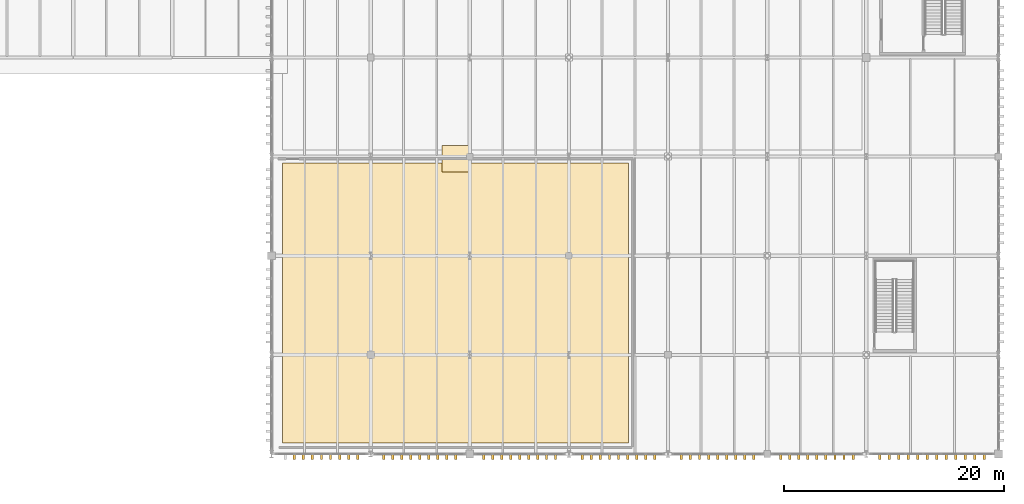
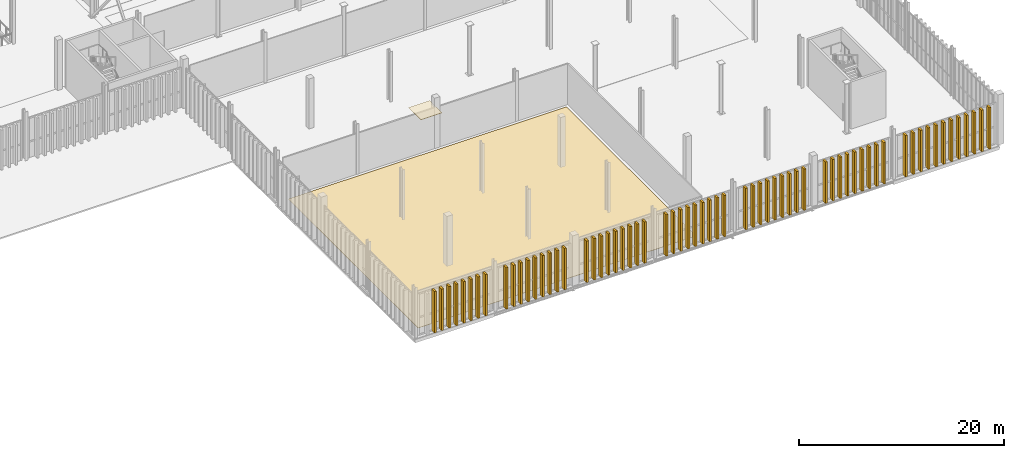
# One storey, part 199 of 211: 65 shading devices, 2 coverings.
"""IFC4 building model written with IfcOpenShell, lengths in metres."""

from ifc_helpers import new_model, si_unit, direction, frame, origin, origin_2d, place, context, subcontext, project, spatial, polyline, rectangle, outline, extrude, material, layer, layer_set, type_object, element, save


model = new_model("IFC4")

# Units and contexts
model_context = context("Model", 3, precision=1e-05, world=origin(), true_north=direction((0.0, 1.0)))
body_context = subcontext(model_context, "Body", "Model", "MODEL_VIEW")
ifc_project = project(units=[si_unit("LENGTHUNIT", "METRE"), si_unit("AREAUNIT", "SQUARE_METRE"), si_unit("VOLUMEUNIT", "CUBIC_METRE"), si_unit("PLANEANGLEUNIT", "RADIAN"), si_unit("MASSUNIT", "GRAM", prefix="KILO")], contexts=[model_context])

# Site, building, storey
site_placement = place(None, origin())
site = spatial("IfcSite", under=ifc_project, at=site_placement, CompositionType="ELEMENT")
building_placement = place(site_placement, origin())
building = spatial("IfcBuilding", under=site, at=building_placement, Name="Barlavento Convention Centre", CompositionType="ELEMENT")
storey_placement = place(building_placement, frame((0.0, 0.0, 6.0)))
storey = spatial("IfcBuildingStorey", under=building, at=storey_placement, Name="L01", CompositionType="ELEMENT", Elevation=6.0)

# Coverings
ifc_material_1 = material(Name="Perforated mineral-fibre acoustic board")
ifc_layer_1 = layer(ifc_material_1, 0.0400390625)
ifc_layer_set_1 = layer_set([ifc_layer_1], Name="ARC-COV-CEIL-ACOU")
covering_type_1 = type_object("IfcCoveringType", Name="ARC-COV-CEIL-ACOU", PredefinedType="CEILING", material=ifc_layer_set_1)
covering_1_placement = place(storey_placement, frame((0.0, 0.0, 4.85009765625)))
element("IfcCovering", 1, at=covering_1_placement, inside=storey, type_object=covering_type_1, Name="L01 acoustic ceiling panel", PredefinedType="CEILING", context=body_context, shape_type="SweptSolid", body=[
    extrude(outline(polyline([(141.5, 25.60009765625), (143.89990234375, 25.60009765625), (143.89990234375, 28.0), (141.5, 28.0), (141.5, 25.60009765625)])), origin(), (0.0, 0.0, 1.0), 0.039794921875),
])
ifc_material_2 = material(Name="Honed granite concourse stone flooring", Category="masonry")
ifc_layer_2 = layer(ifc_material_2, 0.030029296875)
ifc_layer_set_2 = layer_set([ifc_layer_2], Name="ARC-COV-FLR-STONE")
covering_type_2 = type_object("IfcCoveringType", Name="ARC-COV-FLR-STONE", PredefinedType="FLOORING", material=ifc_layer_set_2)
covering_2_placement = place(storey_placement, origin())
element("IfcCovering", 2, at=covering_2_placement, inside=storey, type_object=covering_type_2, Name="L01 honed stone floor finish", PredefinedType="FLOORING", context=body_context, shape_type="SweptSolid", body=[
    extrude(outline(polyline([(158.39990234375, 1.0), (127.0, 1.0), (127.0, 26.39990234375), (158.39990234375, 26.39990234375), (158.39990234375, 1.0)])), origin(), (0.0, 0.0, 1.0), 0.030029296875),
])

# Shading devices
ifc_material_3 = material(Name="PVDF white extruded aluminium", Category="aluminium")
shading_device_type = type_object("IfcShadingDeviceType", Name="ARC-SHD-FIN-480", PredefinedType="USERDEFINED", material=ifc_material_3)
for number, where, z_axis, x_axis, name in (
    (3, (128.06884765625, -0.239990234375, 0.0), (0.0, 0.0, 1.0), (1.0, 0.0, 0.0), "White vertical solar shading fin VF01"),
    (4, (128.89111328125, -0.239990234375, 0.0), (0.0, 0.0, 1.0), (1.0, 0.0, 0.0), "White vertical solar shading fin VF01"),
    (5, (129.713623046875, -0.239990234375, 0.0), (0.0, 0.0, 1.0), (1.0, 0.0, 0.0), "White vertical solar shading fin VF01"),
    (6, (130.535888671875, -0.239990234375, 0.0), (0.0, 0.0, 1.0), (1.0, 0.0, 0.0), "White vertical solar shading fin VF01"),
    (7, (131.3583984375, -0.239990234375, 0.0), (0.0, 0.0, 1.0), (1.0, 0.0, 0.0), "White vertical solar shading fin VF01"),
    (8, (132.180908203125, -0.239990234375, 0.0), (0.0, 0.0, 1.0), (1.0, 0.0, 0.0), "White vertical solar shading fin VF01"),
    (9, (133.003173828125, -0.239990234375, 0.0), (0.0, 0.0, 1.0), (1.0, 0.0, 0.0), "White vertical solar shading fin VF01"),
    (10, (133.82568359375, -0.239990234375, 0.0), (0.0, 0.0, 1.0), (1.0, 0.0, 0.0), "White vertical solar shading fin VF01"),
    (11, (136.1728515625, -0.239990234375, 0.0), (0.0, 0.0, 1.0), (1.0, 0.0, 0.0), "White vertical solar shading fin VF01"),
    (12, (136.99365234375, -0.239990234375, 0.0), (0.0, 0.0, 1.0), (1.0, 0.0, 0.0), "White vertical solar shading fin VF01"),
    (13, (137.814453125, -0.239990234375, 0.0), (0.0, 0.0, 1.0), (1.0, 0.0, 0.0), "White vertical solar shading fin VF01"),
    (14, (138.63525390625, -0.239990234375, 0.0), (0.0, 0.0, 1.0), (1.0, 0.0, 0.0), "White vertical solar shading fin VF01"),
    (15, (139.4560546875, -0.239990234375, 0.0), (0.0, 0.0, 1.0), (1.0, 0.0, 0.0), "White vertical solar shading fin VF01"),
    (16, (140.27685546875, -0.239990234375, 0.0), (0.0, 0.0, 1.0), (1.0, 0.0, 0.0), "White vertical solar shading fin VF01"),
    (17, (141.09765625, -0.239990234375, 0.0), (0.0, 0.0, 1.0), (1.0, 0.0, 0.0), "White vertical solar shading fin VF01"),
    (18, (141.91845703125, -0.239990234375, 0.0), (0.0, 0.0, 1.0), (1.0, 0.0, 0.0), "White vertical solar shading fin VF01"),
    (19, (142.7392578125, -0.239990234375, 0.0), (0.0, 0.0, 1.0), (1.0, 0.0, 0.0), "White vertical solar shading fin VF01"),
    (20, (145.256103515625, -0.239990234375, 0.0), (0.0, 0.0, 1.0), (1.0, 0.0, 0.0), "White vertical solar shading fin VF01"),
    (21, (146.072021484375, -0.239990234375, 0.0), (0.0, 0.0, 1.0), (1.0, 0.0, 0.0), "White vertical solar shading fin VF01"),
    (22, (146.887939453125, -0.239990234375, 0.0), (0.0, 0.0, 1.0), (1.0, 0.0, 0.0), "White vertical solar shading fin VF01"),
    (23, (147.7041015625, -0.239990234375, 0.0), (0.0, 0.0, 1.0), (1.0, 0.0, 0.0), "White vertical solar shading fin VF01"),
    (24, (148.52001953125, -0.239990234375, 0.0), (0.0, 0.0, 1.0), (1.0, 0.0, 0.0), "White vertical solar shading fin VF01"),
    (25, (149.3359375, -0.239990234375, 0.0), (0.0, 0.0, 1.0), (1.0, 0.0, 0.0), "White vertical solar shading fin VF01"),
    (26, (150.152099609375, -0.239990234375, 0.0), (0.0, 0.0, 1.0), (1.0, 0.0, 0.0), "White vertical solar shading fin VF01"),
    (27, (150.968017578125, -0.239990234375, 0.0), (0.0, 0.0, 1.0), (1.0, 0.0, 0.0), "White vertical solar shading fin VF01"),
    (28, (151.783935546875, -0.239990234375, 0.0), (0.0, 0.0, 1.0), (1.0, 0.0, 0.0), "White vertical solar shading fin VF01"),
    (29, (154.220947265625, -0.239990234375, 0.0), (0.0, 0.0, 1.0), (1.0, 0.0, 0.0), "White vertical solar shading fin VF01"),
    (30, (155.0419921875, -0.239990234375, 0.0), (0.0, 0.0, 1.0), (1.0, 0.0, 0.0), "White vertical solar shading fin VF01"),
    (31, (155.863037109375, -0.239990234375, 0.0), (0.0, 0.0, 1.0), (1.0, 0.0, 0.0), "White vertical solar shading fin VF01"),
    (32, (156.68408203125, -0.239990234375, 0.0), (0.0, 0.0, 1.0), (1.0, 0.0, 0.0), "White vertical solar shading fin VF01"),
    (33, (157.5048828125, -0.239990234375, 0.0), (0.0, 0.0, 1.0), (1.0, 0.0, 0.0), "White vertical solar shading fin VF01"),
    (34, (158.325927734375, -0.239990234375, 0.0), (0.0, 0.0, 1.0), (1.0, 0.0, 0.0), "White vertical solar shading fin VF01"),
    (35, (159.14697265625, -0.239990234375, 0.0), (0.0, 0.0, 1.0), (1.0, 0.0, 0.0), "White vertical solar shading fin VF01"),
    (36, (159.968017578125, -0.239990234375, 0.0), (0.0, 0.0, 1.0), (1.0, 0.0, 0.0), "White vertical solar shading fin VF01"),
    (37, (160.7890625, -0.239990234375, 0.0), (0.0, 0.0, 1.0), (1.0, 0.0, 0.0), "White vertical solar shading fin VF01"),
    (38, (163.2119140625, -0.239990234375, 0.0), (0.0, 0.0, 1.0), (1.0, 0.0, 0.0), "White vertical solar shading fin VF01"),
    (39, (164.033935546875, -0.239990234375, 0.0), (0.0, 0.0, 1.0), (1.0, 0.0, 0.0), "White vertical solar shading fin VF01"),
    (40, (164.85595703125, -0.239990234375, 0.0), (0.0, 0.0, 1.0), (1.0, 0.0, 0.0), "White vertical solar shading fin VF01"),
    (41, (165.677978515625, -0.239990234375, 0.0), (0.0, 0.0, 1.0), (1.0, 0.0, 0.0), "White vertical solar shading fin VF01"),
    (42, (166.5, -0.239990234375, 0.0), (0.0, 0.0, 1.0), (1.0, 0.0, 0.0), "White vertical solar shading fin VF01"),
    (43, (167.322021484375, -0.239990234375, 0.0), (0.0, 0.0, 1.0), (1.0, 0.0, 0.0), "White vertical solar shading fin VF01"),
    (44, (168.14404296875, -0.239990234375, 0.0), (0.0, 0.0, 1.0), (1.0, 0.0, 0.0), "White vertical solar shading fin VF01"),
    (45, (168.966064453125, -0.239990234375, 0.0), (0.0, 0.0, 1.0), (1.0, 0.0, 0.0), "White vertical solar shading fin VF01"),
    (46, (169.7880859375, -0.239990234375, 0.0), (0.0, 0.0, 1.0), (1.0, 0.0, 0.0), "White vertical solar shading fin VF01"),
    (47, (172.21337890625, -0.239990234375, 0.0), (0.0, 0.0, 1.0), (1.0, 0.0, 0.0), "White vertical solar shading fin VF01"),
    (48, (173.036865234375, -0.239990234375, 0.0), (0.0, 0.0, 1.0), (1.0, 0.0, 0.0), "White vertical solar shading fin VF01"),
    (49, (173.860107421875, -0.239990234375, 0.0), (0.0, 0.0, 1.0), (1.0, 0.0, 0.0), "White vertical solar shading fin VF01"),
    (50, (174.68359375, -0.239990234375, 0.0), (0.0, 0.0, 1.0), (1.0, 0.0, 0.0), "White vertical solar shading fin VF01"),
    (51, (175.507080078125, -0.239990234375, 0.0), (0.0, 0.0, 1.0), (1.0, 0.0, 0.0), "White vertical solar shading fin VF01"),
    (52, (176.330322265625, -0.239990234375, 0.0), (0.0, 0.0, 1.0), (1.0, 0.0, 0.0), "White vertical solar shading fin VF01"),
    (53, (177.15380859375, -0.239990234375, 0.0), (0.0, 0.0, 1.0), (1.0, 0.0, 0.0), "White vertical solar shading fin VF01"),
    (54, (177.977294921875, -0.239990234375, 0.0), (0.0, 0.0, 1.0), (1.0, 0.0, 0.0), "White vertical solar shading fin VF01"),
    (55, (178.800537109375, -0.239990234375, 0.0), (0.0, 0.0, 1.0), (1.0, 0.0, 0.0), "White vertical solar shading fin VF01"),
    (56, (181.236328125, -0.239990234375, 0.0), (0.0, 0.0, 1.0), (1.0, 0.0, 0.0), "White vertical solar shading fin VF01"),
    (57, (182.0966796875, -0.239990234375, 0.0), (0.0, 0.0, 1.0), (1.0, 0.0, 0.0), "White vertical solar shading fin VF01"),
    (58, (182.956787109375, -0.239990234375, 0.0), (0.0, 0.0, 1.0), (1.0, 0.0, 0.0), "White vertical solar shading fin VF01"),
    (59, (183.817138671875, -0.239990234375, 0.0), (0.0, 0.0, 1.0), (1.0, 0.0, 0.0), "White vertical solar shading fin VF01"),
    (60, (184.677490234375, -0.239990234375, 0.0), (0.0, 0.0, 1.0), (1.0, 0.0, 0.0), "White vertical solar shading fin VF01"),
    (61, (185.537841796875, -0.239990234375, 0.0), (0.0, 0.0, 1.0), (1.0, 0.0, 0.0), "White vertical solar shading fin VF01"),
    (62, (186.398193359375, -0.239990234375, 0.0), (0.0, 0.0, 1.0), (1.0, 0.0, 0.0), "White vertical solar shading fin VF01"),
    (63, (187.258544921875, -0.239990234375, 0.0), (0.0, 0.0, 1.0), (1.0, 0.0, 0.0), "White vertical solar shading fin VF01"),
    (64, (188.118896484375, -0.239990234375, 0.0), (0.0, 0.0, 1.0), (1.0, 0.0, 0.0), "White vertical solar shading fin VF01"),
    (65, (188.97900390625, -0.239990234375, 0.0), (0.0, 0.0, 1.0), (1.0, 0.0, 0.0), "White vertical solar shading fin VF01"),
    (66, (189.83935546875, -0.239990234375, 0.0), (0.0, 0.0, 1.0), (1.0, 0.0, 0.0), "White vertical solar shading fin VF01"),
    (67, (190.69970703125, -0.239990234375, 0.0), (0.0, 0.0, 1.0), (1.0, 0.0, 0.0), "White vertical solar shading fin VF01"),
):
    element("IfcShadingDevice", number, at=place(storey_placement, frame(where, z_axis=z_axis, x_axis=x_axis)), inside=storey, type_object=shading_device_type, Name=name, ObjectType="FIN", PredefinedType="USERDEFINED", context=body_context, shape_type="SweptSolid", body=[
        extrude(rectangle(XDim=0.219970703125, YDim=0.52001953125, at=origin_2d()), origin(), (0.0, 0.0, 1.0), 4.949951171875),
    ])

save(model, "model.ifc")
